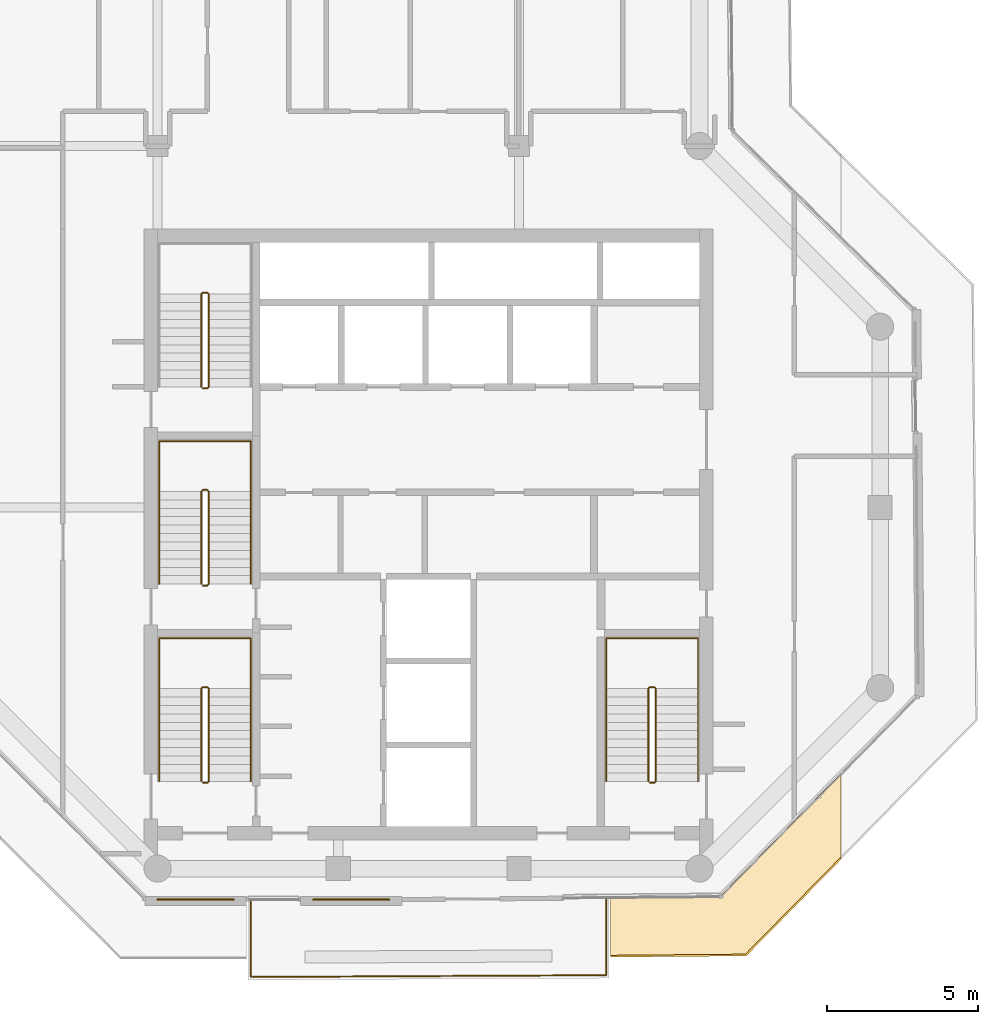
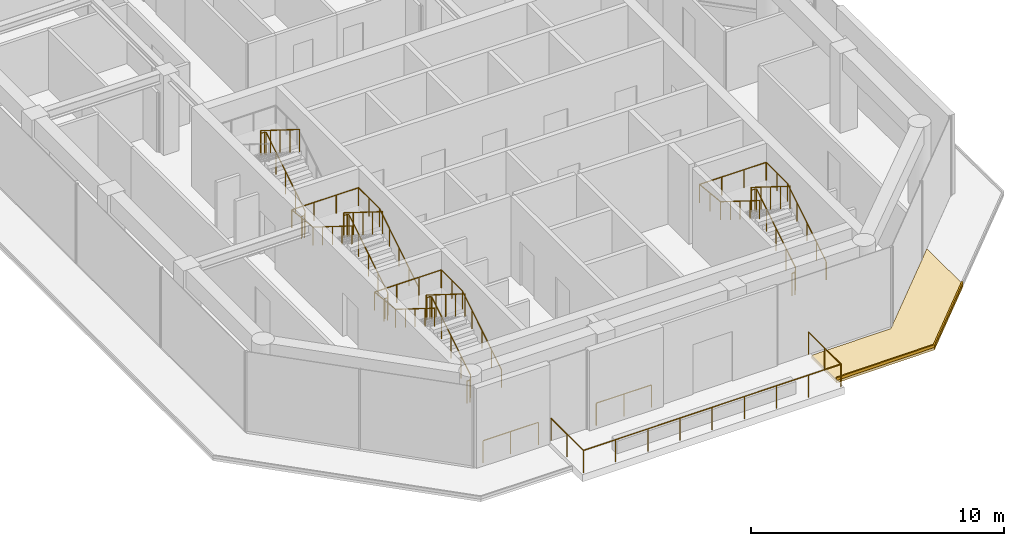
# One storey, part 18 of 19: 10 railings, 2 coverings.
"""IFC4 building model written with IfcOpenShell, lengths in metres."""

from ifc_helpers import new_model, si_unit, direction, frame, origin, origin_2d, place, context, subcontext, project, spatial, polyline, circle, outline, extrude, material, layer, layer_set, type_object, element, save


model = new_model("IFC4")

# Units and contexts
model_context = context("Model", 3, precision=1e-05, world=origin(), true_north=direction((0.0, 1.0)))
body_context = subcontext(model_context, "Body", "Model", "MODEL_VIEW")
ifc_project = project(units=[si_unit("LENGTHUNIT", "METRE"), si_unit("AREAUNIT", "SQUARE_METRE"), si_unit("VOLUMEUNIT", "CUBIC_METRE"), si_unit("PLANEANGLEUNIT", "RADIAN"), si_unit("MASSUNIT", "GRAM", prefix="KILO")], contexts=[model_context])

# Site, building, storey
site_placement = place(None, origin())
site = spatial("IfcSite", under=ifc_project, at=site_placement, CompositionType="ELEMENT")
building_placement = place(site_placement, origin())
building = spatial("IfcBuilding", under=site, at=building_placement, Name="Welwitschia Terrace Campus", CompositionType="ELEMENT")
storey_placement = place(building_placement, frame((0.0, 0.0, 226.39990234375)))
storey = spatial("IfcBuildingStorey", under=building, at=storey_placement, Name="L50", CompositionType="ELEMENT", Elevation=226.39990234375)

# Railings
ifc_material_1 = material(Name="Stainless steel grade 316", Category="steel")
railing_type_1 = type_object("IfcRailingType", Name="Guard 1100", PredefinedType="GUARDRAIL", material=ifc_material_1)
railing_1_placement = place(storey_placement, frame((20.899169921875, 3.029296875, 0.0)))
element("IfcRailing", 1, at=railing_1_placement, inside=storey, type_object=railing_type_1, Name="Guard terrace L50:0:0.0", PredefinedType="GUARDRAIL", context=body_context, shape_type="SweptSolid", body=[
    extrude(circle(Radius=0.02392578125, at=origin_2d()), frame((0.0, 0.0, 1.076171875), z_axis=(0.000285008539, -0.999999959385, 0.0), x_axis=(0.999999959385, 0.000285008539, 0.0)), (0.0, 0.0, 1.0), 2.56982421875),
    extrude(circle(Radius=0.02392578125, at=origin_2d()), frame((0.000732421875, -2.56982421875, 1.076171875), z_axis=(-0.999987465038, -0.005006971914, 0.0), x_axis=(0.005006971914, -0.999987465038, 0.0)), (0.0, 0.0, 1.0), 11.800048828125),
    extrude(circle(Radius=0.02392578125, at=origin_2d()), frame((-11.799072265625, -2.62890625, 1.076171875), z_axis=(0.0, 1.0, 0.0), x_axis=(-1.0, 0.0, 0.0)), (0.0, 0.0, 1.0), 2.569580078125),
    extrude(circle(Radius=0.02099609375, at=origin_2d()), origin(), (0.0, 0.0, 1.0), 1.052001953125),
    extrude(circle(Radius=0.02099609375, at=origin_2d()), frame((0.00048828125, -1.284912109375, 0.0)), (0.0, 0.0, 1.0), 1.052001953125),
    extrude(circle(Radius=0.02099609375, at=origin_2d()), frame((0.000732421875, -2.56982421875, 0.0)), (0.0, 0.0, 1.0), 1.052001953125),
    extrude(circle(Radius=0.02099609375, at=origin_2d()), frame((-1.47412109375, -2.5771484375, 0.0)), (0.0, 0.0, 1.0), 1.052001953125),
    extrude(circle(Radius=0.02099609375, at=origin_2d()), frame((-2.94921875, -2.58447265625, 0.0)), (0.0, 0.0, 1.0), 1.052001953125),
    extrude(circle(Radius=0.02099609375, at=origin_2d()), frame((-4.42431640625, -2.592041015625, 0.0)), (0.0, 0.0, 1.0), 1.052001953125),
    extrude(circle(Radius=0.02099609375, at=origin_2d()), frame((-5.899169921875, -2.599365234375, 0.0)), (0.0, 0.0, 1.0), 1.052001953125),
    extrude(circle(Radius=0.02099609375, at=origin_2d()), frame((-7.3740234375, -2.606689453125, 0.0)), (0.0, 0.0, 1.0), 1.052001953125),
    extrude(circle(Radius=0.02099609375, at=origin_2d()), frame((-8.84912109375, -2.6142578125, 0.0)), (0.0, 0.0, 1.0), 1.052001953125),
    extrude(circle(Radius=0.02099609375, at=origin_2d()), frame((-10.32421875, -2.62158203125, 0.0)), (0.0, 0.0, 1.0), 1.052001953125),
    extrude(circle(Radius=0.02099609375, at=origin_2d()), frame((-11.799072265625, -2.62890625, 0.0)), (0.0, 0.0, 1.0), 1.052001953125),
    extrude(circle(Radius=0.02099609375, at=origin_2d()), frame((-11.799072265625, -1.34423828125, 0.0)), (0.0, 0.0, 1.0), 1.052001953125),
    extrude(circle(Radius=0.02099609375, at=origin_2d()), frame((-11.799072265625, -0.059326171875, 0.0)), (0.0, 0.0, 1.0), 1.052001953125),
])
railing_2_placement = place(storey_placement, frame((8.5224609375, 2.969970703125, 0.0)))
element("IfcRailing", 2, at=railing_2_placement, inside=storey, type_object=railing_type_1, Name="Guard floor edge L50.1", PredefinedType="GUARDRAIL", context=body_context, shape_type="SweptSolid", body=[
    extrude(circle(Radius=0.02392578125, at=origin_2d()), frame((0.0, 0.0, 1.076171875), z_axis=(-1.0, 0.0, 0.0), x_axis=(0.0, -1.0, 0.0)), (0.0, 0.0, 1.0), 2.525390625),
    extrude(circle(Radius=0.02099609375, at=origin_2d()), origin(), (0.0, 0.0, 1.0), 1.052001953125),
    extrude(circle(Radius=0.02099609375, at=origin_2d()), frame((-1.2626953125, 0.0, 0.0)), (0.0, 0.0, 1.0), 1.052001953125),
    extrude(circle(Radius=0.02099609375, at=origin_2d()), frame((-2.525390625, 0.0, 0.0)), (0.0, 0.0, 1.0), 1.052001953125),
])
railing_3_placement = place(storey_placement, frame((13.695068359375, 2.969970703125, 0.0)))
element("IfcRailing", 3, at=railing_3_placement, inside=storey, type_object=railing_type_1, Name="Guard floor edge L50.3", PredefinedType="GUARDRAIL", context=body_context, shape_type="SweptSolid", body=[
    extrude(circle(Radius=0.02392578125, at=origin_2d()), frame((0.0, 0.0, 1.076171875), z_axis=(-1.0, 0.0, 0.0), x_axis=(0.0, -1.0, 0.0)), (0.0, 0.0, 1.0), 2.525146484375),
    extrude(circle(Radius=0.02099609375, at=origin_2d()), origin(), (0.0, 0.0, 1.0), 1.052001953125),
    extrude(circle(Radius=0.02099609375, at=origin_2d()), frame((-1.2626953125, 0.0, 0.0)), (0.0, 0.0, 1.0), 1.052001953125),
    extrude(circle(Radius=0.02099609375, at=origin_2d()), frame((-2.525146484375, 0.0, 0.0)), (0.0, 0.0, 1.0), 1.052001953125),
])
ifc_material_2 = material(Name="Steel S355", Category="steel")
railing_type_2 = type_object("IfcRailingType", Name="Stair guard 1100", PredefinedType="GUARDRAIL", material=ifc_material_2)
railing_4_placement = place(storey_placement, frame((7.5, 6.85009765625, 0.0)))
element("IfcRailing", 4, at=railing_4_placement, inside=storey, type_object=railing_type_2, Name="L50 S1 stair guard", PredefinedType="GUARDRAIL", context=body_context, shape_type="SweptSolid", body=[
    extrude(circle(Radius=0.02392578125, at=origin_2d()), frame((0.0, 0.0, 1.076171875), z_axis=(1.0, 0.0, 0.0), x_axis=(0.0, 1.0, 0.0)), (0.0, 0.0, 1.0), 0.14990234375),
    extrude(circle(Radius=0.02392578125, at=origin_2d()), frame((0.14990234375, 0.0, 1.076171875), z_axis=(0.265155923931, 0.263862480399, 0.927399011991), x_axis=(-0.705375805398, 0.708833529934, 0.0)), (0.0, 0.0, 1.0), 0.188720703125),
    extrude(circle(Radius=0.02392578125, at=origin_2d()), frame((0.199951171875, 0.0498046875, 1.2509765625), z_axis=(0.0, 0.847998304005, 0.529998940003), x_axis=(-1.0, 0.0, 0.0)), (0.0, 0.0, 1.0), 3.632080078125),
    extrude(circle(Radius=0.02392578125, at=origin_2d()), frame((0.199951171875, 3.1298828125, 3.17626953125), z_axis=(-0.707106781187, 0.707106781187, 0.0), x_axis=(-0.707106781187, -0.707106781187, 0.0)), (0.0, 0.0, 1.0), 0.07080078125),
    extrude(circle(Radius=0.02392578125, at=origin_2d()), frame((0.14990234375, 3.179931640625, 3.17626953125), z_axis=(-1.0, 0.0, 0.0), x_axis=(0.0, -1.0, 0.0)), (0.0, 0.0, 1.0), 0.14990234375),
    extrude(circle(Radius=0.02392578125, at=origin_2d()), frame((0.0, 3.179931640625, 3.17626953125), z_axis=(-0.265065253269, -0.265065253269, 0.927081885822), x_axis=(0.707106781187, -0.707106781187, 0.0)), (0.0, 0.0, 1.0), 0.188720703125),
    extrude(circle(Radius=0.02392578125, at=origin_2d()), frame((-0.050048828125, 3.1298828125, 3.35107421875), z_axis=(0.0, -0.847998304005, 0.529998940003), x_axis=(1.0, 0.0, 0.0)), (0.0, 0.0, 1.0), 3.632080078125),
    extrude(circle(Radius=0.02099609375, at=origin_2d()), origin(), (0.0, 0.0, 1.0), 1.052001953125),
    extrude(circle(Radius=0.02099609375, at=origin_2d()), frame((0.14990234375, 0.0, 0.0)), (0.0, 0.0, 1.0), 1.052001953125),
    extrude(circle(Radius=0.02099609375, at=origin_2d()), frame((0.199951171875, 0.0498046875, 0.175048828125)), (0.0, 0.0, 1.0), 1.052001953125),
    extrude(circle(Radius=0.02099609375, at=origin_2d()), frame((0.199951171875, 0.81982421875, 0.65625)), (0.0, 0.0, 1.0), 1.052001953125),
    extrude(circle(Radius=0.02099609375, at=origin_2d()), frame((0.199951171875, 1.58984375, 1.1376953125)), (0.0, 0.0, 1.0), 1.052001953125),
    extrude(circle(Radius=0.02099609375, at=origin_2d()), frame((0.199951171875, 2.35986328125, 1.618896484375)), (0.0, 0.0, 1.0), 1.052001953125),
    extrude(circle(Radius=0.02099609375, at=origin_2d()), frame((0.199951171875, 3.1298828125, 2.10009765625)), (0.0, 0.0, 1.0), 1.052001953125),
    extrude(circle(Radius=0.02099609375, at=origin_2d()), frame((0.14990234375, 3.179931640625, 2.10009765625)), (0.0, 0.0, 1.0), 1.052001953125),
    extrude(circle(Radius=0.02099609375, at=origin_2d()), frame((0.0, 3.179931640625, 2.10009765625)), (0.0, 0.0, 1.0), 1.052001953125),
    extrude(circle(Radius=0.02099609375, at=origin_2d()), frame((-0.050048828125, 3.1298828125, 2.275146484375)), (0.0, 0.0, 1.0), 1.052001953125),
    extrude(circle(Radius=0.02099609375, at=origin_2d()), frame((-0.050048828125, 2.35986328125, 2.75634765625)), (0.0, 0.0, 1.0), 1.052001953125),
    extrude(circle(Radius=0.02099609375, at=origin_2d()), frame((-0.050048828125, 1.58984375, 3.23779296875)), (0.0, 0.0, 1.0), 1.052001953125),
    extrude(circle(Radius=0.02099609375, at=origin_2d()), frame((-0.050048828125, 0.81982421875, 3.718994140625)), (0.0, 0.0, 1.0), 1.052001953125),
    extrude(circle(Radius=0.02099609375, at=origin_2d()), frame((-0.050048828125, 0.0498046875, 4.2001953125)), (0.0, 0.0, 1.0), 1.052001953125),
])
railing_5_placement = place(storey_placement, frame((7.5, 13.39990234375, 0.0)))
element("IfcRailing", 5, at=railing_5_placement, inside=storey, type_object=railing_type_2, Name="L50 S3 stair guard", PredefinedType="GUARDRAIL", context=body_context, shape_type="SweptSolid", body=[
    extrude(circle(Radius=0.02392578125, at=origin_2d()), frame((0.0, 0.0, 1.076171875), z_axis=(1.0, 0.0, 0.0), x_axis=(0.0, 1.0, 0.0)), (0.0, 0.0, 1.0), 0.14990234375),
    extrude(circle(Radius=0.02392578125, at=origin_2d()), frame((0.14990234375, 0.0, 1.076171875), z_axis=(0.265065253269, 0.265065253269, 0.927081885822), x_axis=(-0.707106781187, 0.707106781187, 0.0)), (0.0, 0.0, 1.0), 0.188720703125),
    extrude(circle(Radius=0.02392578125, at=origin_2d()), frame((0.199951171875, 0.050048828125, 1.2509765625), z_axis=(0.0, 0.847998304005, 0.529998940003), x_axis=(-1.0, 0.0, 0.0)), (0.0, 0.0, 1.0), 3.632080078125),
    extrude(circle(Radius=0.02392578125, at=origin_2d()), frame((0.199951171875, 3.130126953125, 3.17626953125), z_axis=(-0.707106781187, 0.707106781187, 0.0), x_axis=(-0.707106781187, -0.707106781187, 0.0)), (0.0, 0.0, 1.0), 0.07080078125),
    extrude(circle(Radius=0.02392578125, at=origin_2d()), frame((0.14990234375, 3.18017578125, 3.17626953125), z_axis=(-1.0, 0.0, 0.0), x_axis=(0.0, -1.0, 0.0)), (0.0, 0.0, 1.0), 0.14990234375),
    extrude(circle(Radius=0.02392578125, at=origin_2d()), frame((0.0, 3.18017578125, 3.17626953125), z_axis=(-0.265065253269, -0.265065253269, 0.927081885822), x_axis=(0.707106781187, -0.707106781187, 0.0)), (0.0, 0.0, 1.0), 0.188720703125),
    extrude(circle(Radius=0.02392578125, at=origin_2d()), frame((-0.050048828125, 3.130126953125, 3.35107421875), z_axis=(0.0, -0.847998304005, 0.529998940003), x_axis=(1.0, 0.0, 0.0)), (0.0, 0.0, 1.0), 3.632080078125),
    extrude(circle(Radius=0.02099609375, at=origin_2d()), origin(), (0.0, 0.0, 1.0), 1.052001953125),
    extrude(circle(Radius=0.02099609375, at=origin_2d()), frame((0.14990234375, 0.0, 0.0)), (0.0, 0.0, 1.0), 1.052001953125),
    extrude(circle(Radius=0.02099609375, at=origin_2d()), frame((0.199951171875, 0.050048828125, 0.175048828125)), (0.0, 0.0, 1.0), 1.052001953125),
    extrude(circle(Radius=0.02099609375, at=origin_2d()), frame((0.199951171875, 0.820068359375, 0.65625)), (0.0, 0.0, 1.0), 1.052001953125),
    extrude(circle(Radius=0.02099609375, at=origin_2d()), frame((0.199951171875, 1.590087890625, 1.1376953125)), (0.0, 0.0, 1.0), 1.052001953125),
    extrude(circle(Radius=0.02099609375, at=origin_2d()), frame((0.199951171875, 2.360107421875, 1.618896484375)), (0.0, 0.0, 1.0), 1.052001953125),
    extrude(circle(Radius=0.02099609375, at=origin_2d()), frame((0.199951171875, 3.130126953125, 2.10009765625)), (0.0, 0.0, 1.0), 1.052001953125),
    extrude(circle(Radius=0.02099609375, at=origin_2d()), frame((0.14990234375, 3.18017578125, 2.10009765625)), (0.0, 0.0, 1.0), 1.052001953125),
    extrude(circle(Radius=0.02099609375, at=origin_2d()), frame((0.0, 3.18017578125, 2.10009765625)), (0.0, 0.0, 1.0), 1.052001953125),
    extrude(circle(Radius=0.02099609375, at=origin_2d()), frame((-0.050048828125, 3.130126953125, 2.275146484375)), (0.0, 0.0, 1.0), 1.052001953125),
    extrude(circle(Radius=0.02099609375, at=origin_2d()), frame((-0.050048828125, 2.360107421875, 2.75634765625)), (0.0, 0.0, 1.0), 1.052001953125),
    extrude(circle(Radius=0.02099609375, at=origin_2d()), frame((-0.050048828125, 1.590087890625, 3.23779296875)), (0.0, 0.0, 1.0), 1.052001953125),
    extrude(circle(Radius=0.02099609375, at=origin_2d()), frame((-0.050048828125, 0.820068359375, 3.718994140625)), (0.0, 0.0, 1.0), 1.052001953125),
    extrude(circle(Radius=0.02099609375, at=origin_2d()), frame((-0.050048828125, 0.050048828125, 4.2001953125)), (0.0, 0.0, 1.0), 1.052001953125),
])
railing_6_placement = place(storey_placement, frame((7.5, 19.949951171875, 0.0)))
element("IfcRailing", 6, at=railing_6_placement, inside=storey, type_object=railing_type_2, Name="L50 S4 stair guard", PredefinedType="GUARDRAIL", context=body_context, shape_type="SweptSolid", body=[
    extrude(circle(Radius=0.02392578125, at=origin_2d()), frame((0.0, 0.0, 1.076171875), z_axis=(1.0, 0.0, 0.0), x_axis=(0.0, 1.0, 0.0)), (0.0, 0.0, 1.0), 0.14990234375),
    extrude(circle(Radius=0.02392578125, at=origin_2d()), frame((0.14990234375, 0.0, 1.076171875), z_axis=(0.265065253269, 0.265065253269, 0.927081885822), x_axis=(-0.707106781187, 0.707106781187, 0.0)), (0.0, 0.0, 1.0), 0.188720703125),
    extrude(circle(Radius=0.02392578125, at=origin_2d()), frame((0.199951171875, 0.050048828125, 1.2509765625), z_axis=(0.0, 0.847998304005, 0.529998940003), x_axis=(-1.0, 0.0, 0.0)), (0.0, 0.0, 1.0), 3.632080078125),
    extrude(circle(Radius=0.02392578125, at=origin_2d()), frame((0.199951171875, 3.130126953125, 3.17626953125), z_axis=(-0.708833529934, 0.705375805398, 0.0), x_axis=(-0.705375805398, -0.708833529934, 0.0)), (0.0, 0.0, 1.0), 0.070556640625),
    extrude(circle(Radius=0.02392578125, at=origin_2d()), frame((0.14990234375, 3.179931640625, 3.17626953125), z_axis=(-1.0, 0.0, 0.0), x_axis=(0.0, -1.0, 0.0)), (0.0, 0.0, 1.0), 0.14990234375),
    extrude(circle(Radius=0.02392578125, at=origin_2d()), frame((0.0, 3.179931640625, 3.17626953125), z_axis=(-0.265155923931, -0.263862480399, 0.927399011991), x_axis=(0.705375805398, -0.708833529934, 0.0)), (0.0, 0.0, 1.0), 0.188720703125),
    extrude(circle(Radius=0.02392578125, at=origin_2d()), frame((-0.050048828125, 3.130126953125, 3.35107421875), z_axis=(0.0, -0.847998304005, 0.529998940003), x_axis=(1.0, 0.0, 0.0)), (0.0, 0.0, 1.0), 3.632080078125),
    extrude(circle(Radius=0.02099609375, at=origin_2d()), origin(), (0.0, 0.0, 1.0), 1.052001953125),
    extrude(circle(Radius=0.02099609375, at=origin_2d()), frame((0.14990234375, 0.0, 0.0)), (0.0, 0.0, 1.0), 1.052001953125),
    extrude(circle(Radius=0.02099609375, at=origin_2d()), frame((0.199951171875, 0.050048828125, 0.175048828125)), (0.0, 0.0, 1.0), 1.052001953125),
    extrude(circle(Radius=0.02099609375, at=origin_2d()), frame((0.199951171875, 0.820068359375, 0.65625)), (0.0, 0.0, 1.0), 1.052001953125),
    extrude(circle(Radius=0.02099609375, at=origin_2d()), frame((0.199951171875, 1.590087890625, 1.1376953125)), (0.0, 0.0, 1.0), 1.052001953125),
    extrude(circle(Radius=0.02099609375, at=origin_2d()), frame((0.199951171875, 2.360107421875, 1.618896484375)), (0.0, 0.0, 1.0), 1.052001953125),
    extrude(circle(Radius=0.02099609375, at=origin_2d()), frame((0.199951171875, 3.130126953125, 2.10009765625)), (0.0, 0.0, 1.0), 1.052001953125),
    extrude(circle(Radius=0.02099609375, at=origin_2d()), frame((0.14990234375, 3.179931640625, 2.10009765625)), (0.0, 0.0, 1.0), 1.052001953125),
    extrude(circle(Radius=0.02099609375, at=origin_2d()), frame((0.0, 3.179931640625, 2.10009765625)), (0.0, 0.0, 1.0), 1.052001953125),
    extrude(circle(Radius=0.02099609375, at=origin_2d()), frame((-0.050048828125, 3.130126953125, 2.275146484375)), (0.0, 0.0, 1.0), 1.052001953125),
    extrude(circle(Radius=0.02099609375, at=origin_2d()), frame((-0.050048828125, 2.360107421875, 2.75634765625)), (0.0, 0.0, 1.0), 1.052001953125),
    extrude(circle(Radius=0.02099609375, at=origin_2d()), frame((-0.050048828125, 1.590087890625, 3.23779296875)), (0.0, 0.0, 1.0), 1.052001953125),
    extrude(circle(Radius=0.02099609375, at=origin_2d()), frame((-0.050048828125, 0.820068359375, 3.718994140625)), (0.0, 0.0, 1.0), 1.052001953125),
    extrude(circle(Radius=0.02099609375, at=origin_2d()), frame((-0.050048828125, 0.050048828125, 4.2001953125)), (0.0, 0.0, 1.0), 1.052001953125),
])
railing_7_placement = place(storey_placement, frame((22.35009765625, 6.85009765625, 0.0)))
element("IfcRailing", 7, at=railing_7_placement, inside=storey, type_object=railing_type_2, Name="L50 S2 stair guard", PredefinedType="GUARDRAIL", context=body_context, shape_type="SweptSolid", body=[
    extrude(circle(Radius=0.02392578125, at=origin_2d()), frame((0.0, 0.0, 1.076171875), z_axis=(1.0, 0.0, 0.0), x_axis=(0.0, 1.0, 0.0)), (0.0, 0.0, 1.0), 0.14990234375),
    extrude(circle(Radius=0.02392578125, at=origin_2d()), frame((0.14990234375, 0.0, 1.076171875), z_axis=(0.265155923931, 0.263862480399, 0.927399011991), x_axis=(-0.705375805398, 0.708833529934, 0.0)), (0.0, 0.0, 1.0), 0.188720703125),
    extrude(circle(Radius=0.02392578125, at=origin_2d()), frame((0.199951171875, 0.0498046875, 1.2509765625), z_axis=(0.0, 0.847998304005, 0.529998940003), x_axis=(-1.0, 0.0, 0.0)), (0.0, 0.0, 1.0), 3.632080078125),
    extrude(circle(Radius=0.02392578125, at=origin_2d()), frame((0.199951171875, 3.1298828125, 3.17626953125), z_axis=(-0.707106781187, 0.707106781187, 0.0), x_axis=(-0.707106781187, -0.707106781187, 0.0)), (0.0, 0.0, 1.0), 0.07080078125),
    extrude(circle(Radius=0.02392578125, at=origin_2d()), frame((0.14990234375, 3.179931640625, 3.17626953125), z_axis=(-1.0, 0.0, 0.0), x_axis=(0.0, -1.0, 0.0)), (0.0, 0.0, 1.0), 0.14990234375),
    extrude(circle(Radius=0.02392578125, at=origin_2d()), frame((0.0, 3.179931640625, 3.17626953125), z_axis=(-0.265065253269, -0.265065253269, 0.927081885822), x_axis=(0.707106781187, -0.707106781187, 0.0)), (0.0, 0.0, 1.0), 0.188720703125),
    extrude(circle(Radius=0.02392578125, at=origin_2d()), frame((-0.050048828125, 3.1298828125, 3.35107421875), z_axis=(0.0, -0.847998304005, 0.529998940003), x_axis=(1.0, 0.0, 0.0)), (0.0, 0.0, 1.0), 3.632080078125),
    extrude(circle(Radius=0.02099609375, at=origin_2d()), origin(), (0.0, 0.0, 1.0), 1.052001953125),
    extrude(circle(Radius=0.02099609375, at=origin_2d()), frame((0.14990234375, 0.0, 0.0)), (0.0, 0.0, 1.0), 1.052001953125),
    extrude(circle(Radius=0.02099609375, at=origin_2d()), frame((0.199951171875, 0.0498046875, 0.175048828125)), (0.0, 0.0, 1.0), 1.052001953125),
    extrude(circle(Radius=0.02099609375, at=origin_2d()), frame((0.199951171875, 0.81982421875, 0.65625)), (0.0, 0.0, 1.0), 1.052001953125),
    extrude(circle(Radius=0.02099609375, at=origin_2d()), frame((0.199951171875, 1.58984375, 1.1376953125)), (0.0, 0.0, 1.0), 1.052001953125),
    extrude(circle(Radius=0.02099609375, at=origin_2d()), frame((0.199951171875, 2.35986328125, 1.618896484375)), (0.0, 0.0, 1.0), 1.052001953125),
    extrude(circle(Radius=0.02099609375, at=origin_2d()), frame((0.199951171875, 3.1298828125, 2.10009765625)), (0.0, 0.0, 1.0), 1.052001953125),
    extrude(circle(Radius=0.02099609375, at=origin_2d()), frame((0.14990234375, 3.179931640625, 2.10009765625)), (0.0, 0.0, 1.0), 1.052001953125),
    extrude(circle(Radius=0.02099609375, at=origin_2d()), frame((0.0, 3.179931640625, 2.10009765625)), (0.0, 0.0, 1.0), 1.052001953125),
    extrude(circle(Radius=0.02099609375, at=origin_2d()), frame((-0.050048828125, 3.1298828125, 2.275146484375)), (0.0, 0.0, 1.0), 1.052001953125),
    extrude(circle(Radius=0.02099609375, at=origin_2d()), frame((-0.050048828125, 2.35986328125, 2.75634765625)), (0.0, 0.0, 1.0), 1.052001953125),
    extrude(circle(Radius=0.02099609375, at=origin_2d()), frame((-0.050048828125, 1.58984375, 3.23779296875)), (0.0, 0.0, 1.0), 1.052001953125),
    extrude(circle(Radius=0.02099609375, at=origin_2d()), frame((-0.050048828125, 0.81982421875, 3.718994140625)), (0.0, 0.0, 1.0), 1.052001953125),
    extrude(circle(Radius=0.02099609375, at=origin_2d()), frame((-0.050048828125, 0.0498046875, 4.2001953125)), (0.0, 0.0, 1.0), 1.052001953125),
])
ifc_material_3 = material(Name="Steel S355", Category="steel")
railing_type_3 = type_object("IfcRailingType", Name="Stair handrail 900", PredefinedType="HANDRAIL", material=ifc_material_3)
railing_8_placement = place(storey_placement, frame((9.10009765625, 6.89990234375, 0.175048828125)))
element("IfcRailing", 8, at=railing_8_placement, inside=storey, type_object=railing_type_3, Name="L50 S1 stair handrail", PredefinedType="HANDRAIL", context=body_context, shape_type="SweptSolid", body=[
    extrude(circle(Radius=0.02392578125, at=origin_2d()), frame((0.0, 0.0, 0.8759765625), z_axis=(0.0, 0.847998304005, 0.529998940003), x_axis=(-1.0, 0.0, 0.0)), (0.0, 0.0, 1.0), 3.632080078125),
    extrude(circle(Radius=0.02392578125, at=origin_2d()), frame((0.0, 3.080078125, 2.80078125), z_axis=(0.0, 1.0, 0.0), x_axis=(-1.0, 0.0, 0.0)), (0.0, 0.0, 1.0), 1.669921875),
    extrude(circle(Radius=0.02392578125, at=origin_2d()), frame((0.0, 4.75, 2.80078125), z_axis=(-1.0, 0.0, 0.0), x_axis=(0.0, -1.0, 0.0)), (0.0, 0.0, 1.0), 3.050048828125),
    extrude(circle(Radius=0.02392578125, at=origin_2d()), frame((-3.050048828125, 4.75, 2.80078125), z_axis=(0.0, -0.99455077262, 0.104253348533), x_axis=(1.0, 0.0, 0.0)), (0.0, 0.0, 1.0), 1.678955078125),
    extrude(circle(Radius=0.02392578125, at=origin_2d()), frame((-3.050048828125, 3.080078125, 2.97607421875), z_axis=(0.0, -0.847998304005, 0.529998940003), x_axis=(1.0, 0.0, 0.0)), (0.0, 0.0, 1.0), 3.632080078125),
    extrude(circle(Radius=0.02099609375, at=origin_2d()), origin(), (0.0, 0.0, 1.0), 0.851806640625),
    extrude(circle(Radius=0.02099609375, at=origin_2d()), frame((0.0, 0.77001953125, 0.481201171875)), (0.0, 0.0, 1.0), 0.851806640625),
    extrude(circle(Radius=0.02099609375, at=origin_2d()), frame((0.0, 1.5400390625, 0.96240234375)), (0.0, 0.0, 1.0), 0.851806640625),
    extrude(circle(Radius=0.02099609375, at=origin_2d()), frame((0.0, 2.31005859375, 1.44384765625)), (0.0, 0.0, 1.0), 0.851806640625),
    extrude(circle(Radius=0.02099609375, at=origin_2d()), frame((0.0, 3.080078125, 1.925048828125)), (0.0, 0.0, 1.0), 0.851806640625),
    extrude(circle(Radius=0.02099609375, at=origin_2d()), frame((0.0, 3.9150390625, 1.925048828125)), (0.0, 0.0, 1.0), 0.851806640625),
    extrude(circle(Radius=0.02099609375, at=origin_2d()), frame((0.0, 4.75, 1.925048828125)), (0.0, 0.0, 1.0), 0.851806640625),
    extrude(circle(Radius=0.02099609375, at=origin_2d()), frame((-1.0166015625, 4.75, 1.925048828125)), (0.0, 0.0, 1.0), 0.851806640625),
    extrude(circle(Radius=0.02099609375, at=origin_2d()), frame((-2.033447265625, 4.75, 1.925048828125)), (0.0, 0.0, 1.0), 0.851806640625),
    extrude(circle(Radius=0.02099609375, at=origin_2d()), frame((-3.050048828125, 4.75, 1.925048828125)), (0.0, 0.0, 1.0), 0.851806640625),
    extrude(circle(Radius=0.02099609375, at=origin_2d()), frame((-3.050048828125, 3.9150390625, 2.0126953125)), (0.0, 0.0, 1.0), 0.851806640625),
    extrude(circle(Radius=0.02099609375, at=origin_2d()), frame((-3.050048828125, 3.080078125, 2.10009765625)), (0.0, 0.0, 1.0), 0.851806640625),
    extrude(circle(Radius=0.02099609375, at=origin_2d()), frame((-3.050048828125, 2.31005859375, 2.581298828125)), (0.0, 0.0, 1.0), 0.851806640625),
    extrude(circle(Radius=0.02099609375, at=origin_2d()), frame((-3.050048828125, 1.5400390625, 3.0625)), (0.0, 0.0, 1.0), 0.851806640625),
    extrude(circle(Radius=0.02099609375, at=origin_2d()), frame((-3.050048828125, 0.77001953125, 3.5439453125)), (0.0, 0.0, 1.0), 0.851806640625),
    extrude(circle(Radius=0.02099609375, at=origin_2d()), frame((-3.050048828125, 0.0, 4.025146484375)), (0.0, 0.0, 1.0), 0.851806640625),
])
railing_9_placement = place(storey_placement, frame((9.10009765625, 13.449951171875, 0.175048828125)))
element("IfcRailing", 9, at=railing_9_placement, inside=storey, type_object=railing_type_3, Name="L50 S3 stair handrail", PredefinedType="HANDRAIL", context=body_context, shape_type="SweptSolid", body=[
    extrude(circle(Radius=0.02392578125, at=origin_2d()), frame((0.0, 0.0, 0.8759765625), z_axis=(0.0, 0.847998304005, 0.529998940003), x_axis=(-1.0, 0.0, 0.0)), (0.0, 0.0, 1.0), 3.632080078125),
    extrude(circle(Radius=0.02392578125, at=origin_2d()), frame((0.0, 3.080078125, 2.80078125), z_axis=(0.0, 1.0, 0.0), x_axis=(-1.0, 0.0, 0.0)), (0.0, 0.0, 1.0), 1.669921875),
    extrude(circle(Radius=0.02392578125, at=origin_2d()), frame((0.0, 4.75, 2.80078125), z_axis=(-1.0, 0.0, 0.0), x_axis=(0.0, -1.0, 0.0)), (0.0, 0.0, 1.0), 3.050048828125),
    extrude(circle(Radius=0.02392578125, at=origin_2d()), frame((-3.050048828125, 4.75, 2.80078125), z_axis=(0.0, -0.99455077262, 0.104253348533), x_axis=(1.0, 0.0, 0.0)), (0.0, 0.0, 1.0), 1.678955078125),
    extrude(circle(Radius=0.02392578125, at=origin_2d()), frame((-3.050048828125, 3.080078125, 2.97607421875), z_axis=(0.0, -0.847998304005, 0.529998940003), x_axis=(1.0, 0.0, 0.0)), (0.0, 0.0, 1.0), 3.632080078125),
    extrude(circle(Radius=0.02099609375, at=origin_2d()), origin(), (0.0, 0.0, 1.0), 0.851806640625),
    extrude(circle(Radius=0.02099609375, at=origin_2d()), frame((0.0, 0.77001953125, 0.481201171875)), (0.0, 0.0, 1.0), 0.851806640625),
    extrude(circle(Radius=0.02099609375, at=origin_2d()), frame((0.0, 1.5400390625, 0.96240234375)), (0.0, 0.0, 1.0), 0.851806640625),
    extrude(circle(Radius=0.02099609375, at=origin_2d()), frame((0.0, 2.31005859375, 1.44384765625)), (0.0, 0.0, 1.0), 0.851806640625),
    extrude(circle(Radius=0.02099609375, at=origin_2d()), frame((0.0, 3.080078125, 1.925048828125)), (0.0, 0.0, 1.0), 0.851806640625),
    extrude(circle(Radius=0.02099609375, at=origin_2d()), frame((0.0, 3.9150390625, 1.925048828125)), (0.0, 0.0, 1.0), 0.851806640625),
    extrude(circle(Radius=0.02099609375, at=origin_2d()), frame((0.0, 4.75, 1.925048828125)), (0.0, 0.0, 1.0), 0.851806640625),
    extrude(circle(Radius=0.02099609375, at=origin_2d()), frame((-1.0166015625, 4.75, 1.925048828125)), (0.0, 0.0, 1.0), 0.851806640625),
    extrude(circle(Radius=0.02099609375, at=origin_2d()), frame((-2.033447265625, 4.75, 1.925048828125)), (0.0, 0.0, 1.0), 0.851806640625),
    extrude(circle(Radius=0.02099609375, at=origin_2d()), frame((-3.050048828125, 4.75, 1.925048828125)), (0.0, 0.0, 1.0), 0.851806640625),
    extrude(circle(Radius=0.02099609375, at=origin_2d()), frame((-3.050048828125, 3.9150390625, 2.0126953125)), (0.0, 0.0, 1.0), 0.851806640625),
    extrude(circle(Radius=0.02099609375, at=origin_2d()), frame((-3.050048828125, 3.080078125, 2.10009765625)), (0.0, 0.0, 1.0), 0.851806640625),
    extrude(circle(Radius=0.02099609375, at=origin_2d()), frame((-3.050048828125, 2.31005859375, 2.581298828125)), (0.0, 0.0, 1.0), 0.851806640625),
    extrude(circle(Radius=0.02099609375, at=origin_2d()), frame((-3.050048828125, 1.5400390625, 3.0625)), (0.0, 0.0, 1.0), 0.851806640625),
    extrude(circle(Radius=0.02099609375, at=origin_2d()), frame((-3.050048828125, 0.77001953125, 3.5439453125)), (0.0, 0.0, 1.0), 0.851806640625),
    extrude(circle(Radius=0.02099609375, at=origin_2d()), frame((-3.050048828125, 0.0, 4.025146484375)), (0.0, 0.0, 1.0), 0.851806640625),
])
railing_10_placement = place(storey_placement, frame((23.949951171875, 6.89990234375, 0.175048828125)))
element("IfcRailing", 10, at=railing_10_placement, inside=storey, type_object=railing_type_3, Name="L50 S2 stair handrail", PredefinedType="HANDRAIL", context=body_context, shape_type="SweptSolid", body=[
    extrude(circle(Radius=0.02392578125, at=origin_2d()), frame((0.0, 0.0, 0.8759765625), z_axis=(0.0, 0.847998304005, 0.529998940003), x_axis=(-1.0, 0.0, 0.0)), (0.0, 0.0, 1.0), 3.632080078125),
    extrude(circle(Radius=0.02392578125, at=origin_2d()), frame((0.0, 3.080078125, 2.80078125), z_axis=(0.0, 1.0, 0.0), x_axis=(-1.0, 0.0, 0.0)), (0.0, 0.0, 1.0), 1.669921875),
    extrude(circle(Radius=0.02392578125, at=origin_2d()), frame((0.0, 4.75, 2.80078125), z_axis=(-1.0, 0.0, 0.0), x_axis=(0.0, -1.0, 0.0)), (0.0, 0.0, 1.0), 3.050048828125),
    extrude(circle(Radius=0.02392578125, at=origin_2d()), frame((-3.050048828125, 4.75, 2.80078125), z_axis=(0.0, -0.99455077262, 0.104253348533), x_axis=(1.0, 0.0, 0.0)), (0.0, 0.0, 1.0), 1.678955078125),
    extrude(circle(Radius=0.02392578125, at=origin_2d()), frame((-3.050048828125, 3.080078125, 2.97607421875), z_axis=(0.0, -0.847998304005, 0.529998940003), x_axis=(1.0, 0.0, 0.0)), (0.0, 0.0, 1.0), 3.632080078125),
    extrude(circle(Radius=0.02099609375, at=origin_2d()), origin(), (0.0, 0.0, 1.0), 0.851806640625),
    extrude(circle(Radius=0.02099609375, at=origin_2d()), frame((0.0, 0.77001953125, 0.481201171875)), (0.0, 0.0, 1.0), 0.851806640625),
    extrude(circle(Radius=0.02099609375, at=origin_2d()), frame((0.0, 1.5400390625, 0.96240234375)), (0.0, 0.0, 1.0), 0.851806640625),
    extrude(circle(Radius=0.02099609375, at=origin_2d()), frame((0.0, 2.31005859375, 1.44384765625)), (0.0, 0.0, 1.0), 0.851806640625),
    extrude(circle(Radius=0.02099609375, at=origin_2d()), frame((0.0, 3.080078125, 1.925048828125)), (0.0, 0.0, 1.0), 0.851806640625),
    extrude(circle(Radius=0.02099609375, at=origin_2d()), frame((0.0, 3.9150390625, 1.925048828125)), (0.0, 0.0, 1.0), 0.851806640625),
    extrude(circle(Radius=0.02099609375, at=origin_2d()), frame((0.0, 4.75, 1.925048828125)), (0.0, 0.0, 1.0), 0.851806640625),
    extrude(circle(Radius=0.02099609375, at=origin_2d()), frame((-1.0166015625, 4.75, 1.925048828125)), (0.0, 0.0, 1.0), 0.851806640625),
    extrude(circle(Radius=0.02099609375, at=origin_2d()), frame((-2.033447265625, 4.75, 1.925048828125)), (0.0, 0.0, 1.0), 0.851806640625),
    extrude(circle(Radius=0.02099609375, at=origin_2d()), frame((-3.050048828125, 4.75, 1.925048828125)), (0.0, 0.0, 1.0), 0.851806640625),
    extrude(circle(Radius=0.02099609375, at=origin_2d()), frame((-3.050048828125, 3.9150390625, 2.0126953125)), (0.0, 0.0, 1.0), 0.851806640625),
    extrude(circle(Radius=0.02099609375, at=origin_2d()), frame((-3.050048828125, 3.080078125, 2.10009765625)), (0.0, 0.0, 1.0), 0.851806640625),
    extrude(circle(Radius=0.02099609375, at=origin_2d()), frame((-3.050048828125, 2.31005859375, 2.581298828125)), (0.0, 0.0, 1.0), 0.851806640625),
    extrude(circle(Radius=0.02099609375, at=origin_2d()), frame((-3.050048828125, 1.5400390625, 3.0625)), (0.0, 0.0, 1.0), 0.851806640625),
    extrude(circle(Radius=0.02099609375, at=origin_2d()), frame((-3.050048828125, 0.77001953125, 3.5439453125)), (0.0, 0.0, 1.0), 0.851806640625),
    extrude(circle(Radius=0.02099609375, at=origin_2d()), frame((-3.050048828125, 0.0, 4.025146484375)), (0.0, 0.0, 1.0), 0.851806640625),
])

# Coverings
ifc_material_4 = material(Name="Bronze anodised aluminium", Category="aluminium")
ifc_layer_1 = layer(ifc_material_4, 0.1201171875)
ifc_layer_set_1 = layer_set([ifc_layer_1], Name="Bronze anodised aluminium")
covering_type_1 = type_object("IfcCoveringType", Name="Sunshade band 2000", PredefinedType="USERDEFINED", material=ifc_layer_set_1)
covering_1_placement = place(storey_placement, frame((0.0, 0.0, -0.25)))
element("IfcCovering", 11, at=covering_1_placement, inside=storey, type_object=covering_type_1, Name="SUNSHADE L50.SW1", ObjectType="SUNSHADE", PredefinedType="USERDEFINED", context=body_context, shape_type="SweptSolid", body=[
    extrude(outline(polyline([(25.551025390625, 1.099609375), (21.050048828125, 1.060302734375), (21.050048828125, 3.060546875), (24.705078125, 3.09228515625), (28.698486328125, 7.156005859375), (28.698486328125, 4.302490234375), (25.551025390625, 1.099609375)])), origin(), (0.0, 0.0, 1.0), 0.1201171875),
])
ifc_material_5 = material(Name="Bronze anodised aluminium", Category="aluminium")
ifc_layer_2 = layer(ifc_material_5, 0.06005859375)
ifc_layer_set_2 = layer_set([ifc_layer_2], Name="Bronze anodised aluminium")
covering_type_2 = type_object("IfcCoveringType", Name="Sunshade lip 60", PredefinedType="USERDEFINED", material=ifc_layer_set_2)
covering_2_placement = place(storey_placement, frame((0.0, 0.0, -0.1298828125)))
element("IfcCovering", 12, at=covering_2_placement, inside=storey, type_object=covering_type_2, Name="SUNSHADE LIP L50.SW1.0", ObjectType="SUNSHADE", PredefinedType="USERDEFINED", context=body_context, shape_type="SweptSolid", body=[
    extrude(outline(polyline([(21.050048828125, 1.060302734375), (21.050048828125, 1.120361328125), (25.525634765625, 1.159423828125), (28.698486328125, 4.38818359375), (28.698486328125, 4.302490234375), (25.551025390625, 1.099609375), (21.050048828125, 1.060302734375)])), origin(), (0.0, 0.0, 1.0), 0.1298828125),
])

save(model, "model.ifc")
